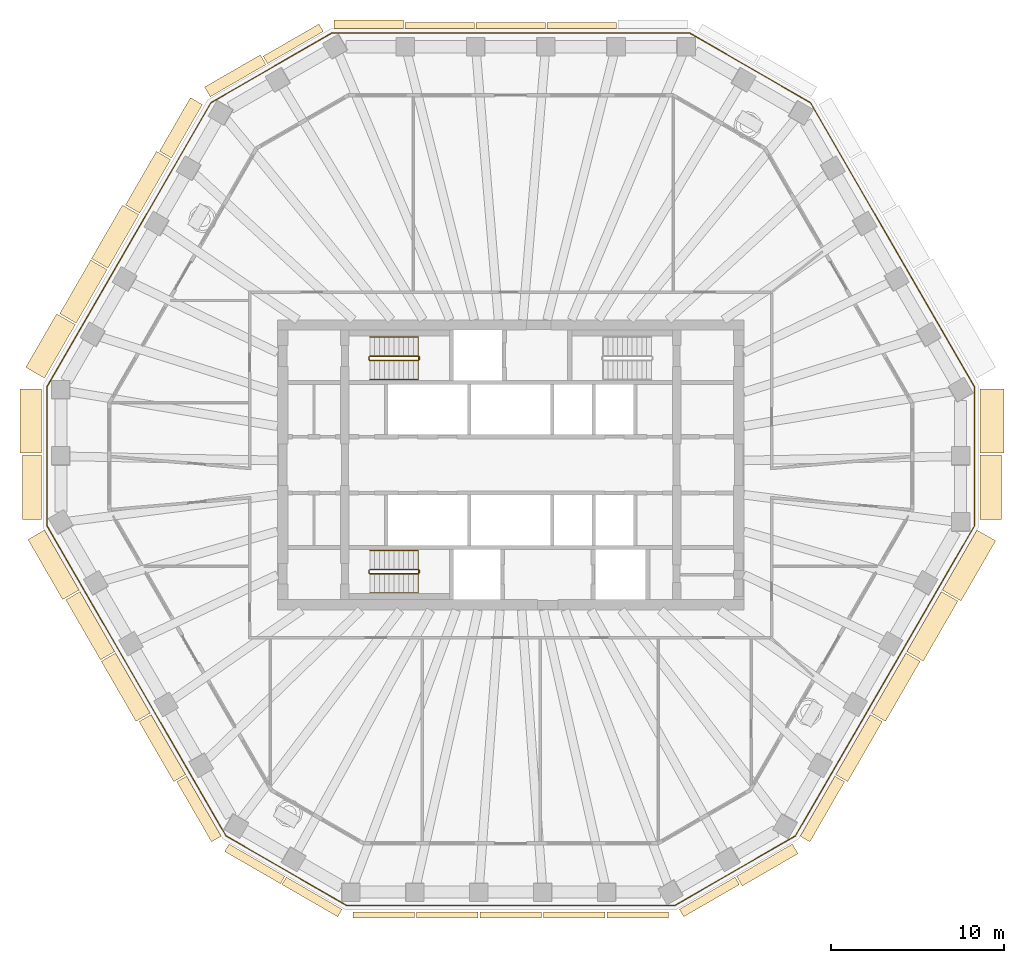
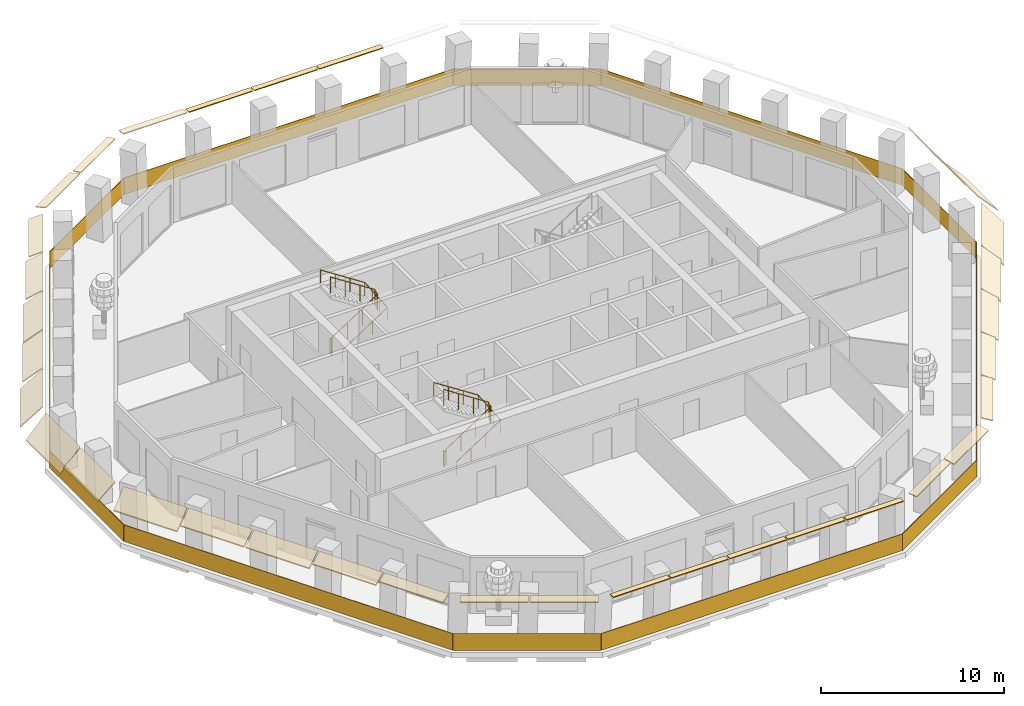
# One storey, part 9 of 12: 34 coverings, 5 railings.
"""IFC4 building model written with IfcOpenShell, lengths in metres."""

from ifc_helpers import new_model, si_unit, direction, frame, origin, origin_2d, place, context, subcontext, project, spatial, polyline, rectangle, circle, outline, extrude, material, layer, layer_set, type_object, element, save


model = new_model("IFC4")

# Units and contexts
model_context = context("Model", 3, precision=1e-05, world=origin(), true_north=direction((0.0, 1.0)))
body_context = subcontext(model_context, "Body", "Model", "MODEL_VIEW")
ifc_project = project(units=[si_unit("LENGTHUNIT", "METRE"), si_unit("AREAUNIT", "SQUARE_METRE"), si_unit("VOLUMEUNIT", "CUBIC_METRE"), si_unit("PLANEANGLEUNIT", "RADIAN"), si_unit("MASSUNIT", "GRAM", prefix="KILO")], contexts=[model_context])

# Site, building, storey
site_placement = place(None, origin())
site = spatial("IfcSite", under=ifc_project, at=site_placement, CompositionType="ELEMENT")
building_placement = place(site_placement, origin())
building = spatial("IfcBuilding", under=site, at=building_placement, Name="Frailejon Research Tower", CompositionType="ELEMENT")
storey_placement = place(building_placement, frame((0.0, 0.0, 227.39990234375)))
storey = spatial("IfcBuildingStorey", under=building, at=storey_placement, Name="L49", CompositionType="ELEMENT", Elevation=227.39990234375)

# Coverings
ifc_material_1 = material(Name="Precast concrete C50/60", Category="concrete")
ifc_layer_1 = layer(ifc_material_1, 0.06005859375)
ifc_layer_set_1 = layer_set([ifc_layer_1], Name="Brim blade depth 1100")
covering_type_1 = type_object("IfcCoveringType", Name="Brim blade depth 1100", PredefinedType="CLADDING", material=ifc_layer_set_1)
for number, where, z_axis, x_axis, name in (
    (1, (-23.305419921875, 11.390869140625, 3.85009765625), (0.500009728107, 0.866019787186, 0.0), (-0.866019787186, 0.500009728107, 0.0), "Brim blade L49"),
    (2, (-25.1435546875, 8.207275390625, 3.85009765625), (0.499989326144, 0.86603156625, 0.0), (-0.86603156625, 0.499989326144, 0.0), "Brim blade L49"),
):
    element("IfcCovering", number, at=place(storey_placement, frame(where, z_axis=z_axis, x_axis=x_axis)), inside=storey, type_object=covering_type_1, Name=name, PredefinedType="CLADDING", context=body_context, shape_type="SweptSolid", body=[
        extrude(outline(polyline([(0.0, -0.078369140625), (1.10009765625, -1.001220703125), (1.10009765625, -0.923095703125), (0.0, 0.0), (0.0, -0.078369140625)])), origin(), (0.0, 0.0, 1.0), 3.576171875),
    ])
covering_1_placement = place(storey_placement, frame((-27.147216796875, -3.148193359375, 3.85009765625), z_axis=(0.0, 1.0, 0.0), x_axis=(-1.0, 0.0, 0.0)))
element("IfcCovering", 3, at=covering_1_placement, inside=storey, type_object=covering_type_1, Name="Brim blade L49", PredefinedType="CLADDING", context=body_context, shape_type="SweptSolid", body=[
    extrude(outline(polyline([(0.0, -0.078369140625), (1.10009765625, -1.001220703125), (1.10009765625, -0.923095703125), (0.0, 0.0), (0.0, -0.078369140625)])), origin(), (0.0, 0.0, 1.0), 3.726806640625),
])
for number, where, z_axis, x_axis, name in (
    (4, (-24.975830078125, -7.240478515625, 3.85009765625), (-0.500005270805, 0.866022360662, 0.0), (-0.866022360662, -0.500005270805, 0.0), "Brim blade L49"),
    (5, (24.92578125, -7.3271484375, 3.85009765625), (-0.500005270805, -0.866022360662, 0.0), (0.866022360662, -0.500005270805, 0.0), "Brim blade L49"),
):
    element("IfcCovering", number, at=place(storey_placement, frame(where, z_axis=z_axis, x_axis=x_axis)), inside=storey, type_object=covering_type_1, Name=name, PredefinedType="CLADDING", context=body_context, shape_type="SweptSolid", body=[
        extrude(outline(polyline([(0.0, -0.078369140625), (1.10009765625, -1.001220703125), (1.10009765625, -0.923095703125), (0.0, 0.0), (0.0, -0.078369140625)])), origin(), (0.0, 0.0, 1.0), 4.01171875),
    ])
ifc_material_2 = material(Name="Precast concrete C50/60", Category="concrete")
ifc_layer_2 = layer(ifc_material_2, 0.06005859375)
ifc_layer_set_2 = layer_set([ifc_layer_2], Name="Brim blade depth 1250")
covering_type_2 = type_object("IfcCoveringType", Name="Brim blade depth 1250", PredefinedType="CLADDING", material=ifc_layer_set_2)
covering_2_placement = place(storey_placement, frame((27.147216796875, 0.57861328125, 3.85009765625), z_axis=(0.0, -1.0, 0.0), x_axis=(1.0, 0.0, 0.0)))
element("IfcCovering", 6, at=covering_2_placement, inside=storey, type_object=covering_type_2, Name="Brim blade L49", PredefinedType="CLADDING", context=body_context, shape_type="SweptSolid", body=[
    extrude(outline(polyline([(0.0, -0.0888671875), (1.25, -1.452880859375), (1.25, -1.364013671875), (0.0, 0.0), (0.0, -0.0888671875)])), origin(), (0.0, 0.0, 1.0), 3.726806640625),
])
covering_3_placement = place(storey_placement, frame((-26.981689453125, 5.0234375, 3.85009765625), z_axis=(0.499997948968, 0.866026587945, 0.0), x_axis=(-0.866026587945, 0.499997948968, 0.0)))
element("IfcCovering", 7, at=covering_3_placement, inside=storey, type_object=covering_type_2, Name="Brim blade L49", PredefinedType="CLADDING", context=body_context, shape_type="SweptSolid", body=[
    extrude(outline(polyline([(0.0, -0.0888671875), (1.25, -1.452880859375), (1.25, -1.364013671875), (0.0, 0.0), (0.0, -0.0888671875)])), origin(), (0.0, 0.0, 1.0), 3.576171875),
])
covering_4_placement = place(storey_placement, frame((-27.147216796875, 0.678466796875, 3.85009765625), z_axis=(0.0, 1.0, 0.0), x_axis=(-1.0, 0.0, 0.0)))
element("IfcCovering", 8, at=covering_4_placement, inside=storey, type_object=covering_type_2, Name="Brim blade L49", PredefinedType="CLADDING", context=body_context, shape_type="SweptSolid", body=[
    extrude(outline(polyline([(0.0, -0.0888671875), (1.25, -1.452880859375), (1.25, -1.364013671875), (0.0, 0.0), (0.0, -0.0888671875)])), origin(), (0.0, 0.0, 1.0), 3.726806640625),
])
covering_5_placement = place(storey_placement, frame((26.981689453125, -3.7666015625, 3.85009765625), z_axis=(-0.500005270805, -0.866022360662, 0.0), x_axis=(0.866022360662, -0.500005270805, 0.0)))
element("IfcCovering", 9, at=covering_5_placement, inside=storey, type_object=covering_type_2, Name="Brim blade L49", PredefinedType="CLADDING", context=body_context, shape_type="SweptSolid", body=[
    extrude(outline(polyline([(0.0, -0.0888671875), (1.25, -1.452880859375), (1.25, -1.364013671875), (0.0, 0.0), (0.0, -0.0888671875)])), origin(), (0.0, 0.0, 1.0), 4.01171875),
])
ifc_material_3 = material(Name="Precast concrete C50/60", Category="concrete")
ifc_layer_3 = layer(ifc_material_3, 0.06005859375)
ifc_layer_set_3 = layer_set([ifc_layer_3], Name="Brim blade depth 1400")
covering_type_3 = type_object("IfcCoveringType", Name="Brim blade depth 1400", PredefinedType="CLADDING", material=ifc_layer_set_3)
covering_6_placement = place(storey_placement, frame((27.147216796875, 4.4052734375, 3.85009765625), z_axis=(0.0, -1.0, 0.0), x_axis=(1.0, 0.0, 0.0)))
element("IfcCovering", 10, at=covering_6_placement, inside=storey, type_object=covering_type_3, Name="Brim blade L49", PredefinedType="CLADDING", context=body_context, shape_type="SweptSolid", body=[
    extrude(outline(polyline([(0.0, -0.1044921875), (1.39990234375, -2.10400390625), (1.39990234375, -1.99951171875), (0.0, 0.0), (0.0, -0.1044921875)])), origin(), (0.0, 0.0, 1.0), 3.726806640625),
])
ifc_material_4 = material(Name="Precast concrete C50/60", Category="concrete")
ifc_layer_4 = layer(ifc_material_4, 0.06005859375)
ifc_layer_set_4 = layer_set([ifc_layer_4], Name="Brim blade depth 350")
covering_type_4 = type_object("IfcCoveringType", Name="Brim blade depth 350", PredefinedType="CLADDING", material=ifc_layer_set_4)
for number, where, z_axis, x_axis, name in (
    (11, (2.105712890625, 25.25, 3.85009765625), (1.0, 0.0, 0.0), (0.0, 1.0, 0.0), "Brim blade L49"),
    (12, (-2.005859375, 25.25, 3.85009765625), (1.0, 0.0, 0.0), (0.0, 1.0, 0.0), "Brim blade L49"),
    (13, (-6.117431640625, 25.25, 3.85009765625), (1.0, 0.0, 0.0), (0.0, 1.0, 0.0), "Brim blade L49"),
):
    element("IfcCovering", number, at=place(storey_placement, frame(where, z_axis=z_axis, x_axis=x_axis)), inside=storey, type_object=covering_type_4, Name=name, PredefinedType="CLADDING", context=body_context, shape_type="SweptSolid", body=[
        extrude(outline(polyline([(0.0, -0.06005859375), (0.35009765625, -0.06005859375), (0.35009765625, 0.0), (0.0, 0.0), (0.0, -0.06005859375)])), origin(), (0.0, 0.0, 1.0), 4.01171875),
    ])
for number, where, z_axis, x_axis, name in (
    (14, (-5.564208984375, -25.87841796875, 3.85009765625), (-1.0, 0.0, 0.0), (0.0, -1.0, 0.0), "Brim blade L49"),
    (15, (-1.88818359375, -25.87841796875, 3.85009765625), (-1.0, 0.0, 0.0), (0.0, -1.0, 0.0), "Brim blade L49"),
    (16, (1.7880859375, -25.87841796875, 3.85009765625), (-1.0, 0.0, 0.0), (0.0, -1.0, 0.0), "Brim blade L49"),
    (17, (5.464111328125, -25.87841796875, 3.85009765625), (-1.0, 0.0, 0.0), (0.0, -1.0, 0.0), "Brim blade L49"),
    (18, (9.140380859375, -25.87841796875, 3.85009765625), (-1.0, 0.0, 0.0), (0.0, -1.0, 0.0), "Brim blade L49"),
):
    element("IfcCovering", number, at=place(storey_placement, frame(where, z_axis=z_axis, x_axis=x_axis)), inside=storey, type_object=covering_type_4, Name=name, PredefinedType="CLADDING", context=body_context, shape_type="SweptSolid", body=[
        extrude(outline(polyline([(0.0, -0.06005859375), (0.35009765625, -0.06005859375), (0.35009765625, 0.0), (0.0, 0.0), (0.0, -0.06005859375)])), origin(), (0.0, 0.0, 1.0), 3.576171875),
    ])
ifc_material_5 = material(Name="Precast concrete C50/60", Category="concrete")
ifc_layer_5 = layer(ifc_material_5, 0.06005859375)
ifc_layer_set_5 = layer_set([ifc_layer_5], Name="Brim blade depth 500")
covering_type_5 = type_object("IfcCoveringType", Name="Brim blade depth 500", PredefinedType="CLADDING", material=ifc_layer_set_5)
covering_7_placement = place(storey_placement, frame((-10.22900390625, 25.25, 3.85009765625), z_axis=(1.0, 0.0, 0.0), x_axis=(0.0, 1.0, 0.0)))
element("IfcCovering", 19, at=covering_7_placement, inside=storey, type_object=covering_type_5, Name="Brim blade L49", PredefinedType="CLADDING", context=body_context, shape_type="SweptSolid", body=[
    extrude(outline(polyline([(0.0, -0.060546875), (0.5, -0.130859375), (0.5, -0.0703125), (0.0, 0.0), (0.0, -0.060546875)])), origin(), (0.0, 0.0, 1.0), 4.011474609375),
])
for number, where, z_axis, x_axis, name in (
    (20, (-14.07470703125, 23.220947265625, 3.85009765625), (0.866025010706, 0.50000068083, 0.0), (-0.50000068083, 0.866025010706, 0.0), "Brim blade L49"),
    (21, (-13.072509765625, -23.799560546875, 3.85009765625), (-0.866025010706, 0.50000068083, 0.0), (-0.50000068083, -0.866025010706, 0.0), "Brim blade L49"),
    (22, (-9.758544921875, -25.712890625, 3.85009765625), (-0.866029793251, 0.499992397145, 0.0), (-0.499992397145, -0.866029793251, 0.0), "Brim blade L49"),
    (23, (12.986083984375, -23.849609375, 3.85009765625), (-0.866029793251, -0.499992397145, 0.0), (0.499992397145, -0.866029793251, 0.0), "Brim blade L49"),
):
    element("IfcCovering", number, at=place(storey_placement, frame(where, z_axis=z_axis, x_axis=x_axis)), inside=storey, type_object=covering_type_5, Name=name, PredefinedType="CLADDING", context=body_context, shape_type="SweptSolid", body=[
        extrude(outline(polyline([(0.0, -0.060546875), (0.5, -0.130859375), (0.5, -0.0703125), (0.0, 0.0), (0.0, -0.060546875)])), origin(), (0.0, 0.0, 1.0), 3.726806640625),
    ])
ifc_material_6 = material(Name="Precast concrete C50/60", Category="concrete")
ifc_layer_6 = layer(ifc_material_6, 0.06005859375)
ifc_layer_set_6 = layer_set([ifc_layer_6], Name="Brim blade depth 650")
covering_type_6 = type_object("IfcCoveringType", Name="Brim blade depth 650", PredefinedType="CLADDING", material=ifc_layer_set_6)
covering_8_placement = place(storey_placement, frame((-17.388671875, 21.3076171875, 3.85009765625), z_axis=(0.866029793251, 0.499992397145, 0.0), x_axis=(-0.499992397145, 0.866029793251, 0.0)))
element("IfcCovering", 24, at=covering_8_placement, inside=storey, type_object=covering_type_6, Name="Brim blade L49", PredefinedType="CLADDING", context=body_context, shape_type="SweptSolid", body=[
    extrude(outline(polyline([(0.0, -0.0625), (0.64990234375, -0.248779296875), (0.64990234375, -0.186279296875), (0.0, 0.0), (0.0, -0.0625)])), origin(), (0.0, 0.0, 1.0), 3.726806640625),
])
covering_9_placement = place(storey_placement, frame((-16.752685546875, -21.4833984375, 3.85009765625), z_axis=(-0.499987029951, 0.866032891916, 0.0), x_axis=(-0.866032891916, -0.499987029951, 0.0)))
element("IfcCovering", 25, at=covering_9_placement, inside=storey, type_object=covering_type_6, Name="Brim blade L49", PredefinedType="CLADDING", context=body_context, shape_type="SweptSolid", body=[
    extrude(outline(polyline([(0.0, -0.0625), (0.64990234375, -0.248779296875), (0.64990234375, -0.186279296875), (0.0, 0.0), (0.0, -0.0625)])), origin(), (0.0, 0.0, 1.0), 4.011474609375),
])
covering_10_placement = place(storey_placement, frame((16.300048828125, -21.93603515625, 3.85009765625), z_axis=(-0.866025010706, -0.50000068083, 0.0), x_axis=(0.50000068083, -0.866025010706, 0.0)))
element("IfcCovering", 26, at=covering_10_placement, inside=storey, type_object=covering_type_6, Name="Brim blade L49", PredefinedType="CLADDING", context=body_context, shape_type="SweptSolid", body=[
    extrude(outline(polyline([(0.0, -0.0625), (0.64990234375, -0.248779296875), (0.64990234375, -0.186279296875), (0.0, 0.0), (0.0, -0.0625)])), origin(), (0.0, 0.0, 1.0), 3.726806640625),
])
covering_11_placement = place(storey_placement, frame((18.75830078125, -18.009521484375, 3.85009765625), z_axis=(-0.499987029951, -0.866032891916, 0.0), x_axis=(0.866032891916, -0.499987029951, 0.0)))
element("IfcCovering", 27, at=covering_11_placement, inside=storey, type_object=covering_type_6, Name="Brim blade L49", PredefinedType="CLADDING", context=body_context, shape_type="SweptSolid", body=[
    extrude(outline(polyline([(0.0, -0.0625), (0.64990234375, -0.248779296875), (0.64990234375, -0.186279296875), (0.0, 0.0), (0.0, -0.0625)])), origin(), (0.0, 0.0, 1.0), 4.011474609375),
])
ifc_material_7 = material(Name="Precast concrete C50/60", Category="concrete")
ifc_layer_7 = layer(ifc_material_7, 0.06005859375)
ifc_layer_set_7 = layer_set([ifc_layer_7], Name="Brim blade depth 800")
covering_type_7 = type_object("IfcCoveringType", Name="Brim blade depth 800", PredefinedType="CLADDING", material=ifc_layer_set_7)
covering_12_placement = place(storey_placement, frame((-19.62939453125, 17.758056640625, 3.85009765625), z_axis=(0.499989326144, 0.86603156625, 0.0), x_axis=(-0.86603156625, 0.499989326144, 0.0)))
element("IfcCovering", 28, at=covering_12_placement, inside=storey, type_object=covering_type_7, Name="Brim blade L49", PredefinedType="CLADDING", context=body_context, shape_type="SweptSolid", body=[
    extrude(outline(polyline([(0.0, -0.065673828125), (0.800048828125, -0.421875), (0.800048828125, -0.356201171875), (0.0, 0.0), (0.0, -0.065673828125)])), origin(), (0.0, 0.0, 1.0), 3.576171875),
])
for number, where, z_axis, x_axis, name in (
    (29, (-18.808349609375, -17.9228515625, 3.85009765625), (-0.500005270805, 0.866022360662, 0.0), (-0.866022360662, -0.500005270805, 0.0), "Brim blade L49"),
    (30, (20.814208984375, -14.44873046875, 3.85009765625), (-0.500005270805, -0.866022360662, 0.0), (0.866022360662, -0.500005270805, 0.0), "Brim blade L49"),
):
    element("IfcCovering", number, at=place(storey_placement, frame(where, z_axis=z_axis, x_axis=x_axis)), inside=storey, type_object=covering_type_7, Name=name, PredefinedType="CLADDING", context=body_context, shape_type="SweptSolid", body=[
        extrude(outline(polyline([(0.0, -0.065673828125), (0.800048828125, -0.421875), (0.800048828125, -0.356201171875), (0.0, 0.0), (0.0, -0.065673828125)])), origin(), (0.0, 0.0, 1.0), 4.01171875),
    ])
ifc_material_8 = material(Name="Precast concrete C50/60", Category="concrete")
ifc_layer_8 = layer(ifc_material_8, 0.06005859375)
ifc_layer_set_8 = layer_set([ifc_layer_8], Name="Brim blade depth 950")
covering_type_8 = type_object("IfcCoveringType", Name="Brim blade depth 950", PredefinedType="CLADDING", material=ifc_layer_set_8)
covering_13_placement = place(storey_placement, frame((-21.46728515625, 14.574462890625, 3.85009765625), z_axis=(0.500009728107, 0.866019787186, 0.0), x_axis=(-0.866019787186, 0.500009728107, 0.0)))
element("IfcCovering", 31, at=covering_13_placement, inside=storey, type_object=covering_type_8, Name="Brim blade L49", PredefinedType="CLADDING", context=body_context, shape_type="SweptSolid", body=[
    extrude(outline(polyline([(0.0, -0.07080078125), (0.949951171875, -0.664306640625), (0.949951171875, -0.593505859375), (0.0, 0.0), (0.0, -0.07080078125)])), origin(), (0.0, 0.0, 1.0), 3.576171875),
])
for number, where, z_axis, x_axis, name in (
    (32, (-22.919921875, -10.80126953125, 3.85009765625), (-0.500005270805, 0.866022360662, 0.0), (-0.866022360662, -0.500005270805, 0.0), "Brim blade L49"),
    (33, (-20.8642578125, -14.362060546875, 3.85009765625), (-0.499994739838, 0.866028440719, 0.0), (-0.866028440719, -0.499994739838, 0.0), "Brim blade L49"),
    (34, (22.8701171875, -10.887939453125, 3.85009765625), (-0.499994739838, -0.866028440719, 0.0), (0.866028440719, -0.499994739838, 0.0), "Brim blade L49"),
):
    element("IfcCovering", number, at=place(storey_placement, frame(where, z_axis=z_axis, x_axis=x_axis)), inside=storey, type_object=covering_type_8, Name=name, PredefinedType="CLADDING", context=body_context, shape_type="SweptSolid", body=[
        extrude(outline(polyline([(0.0, -0.07080078125), (0.949951171875, -0.664306640625), (0.949951171875, -0.593505859375), (0.0, 0.0), (0.0, -0.07080078125)])), origin(), (0.0, 0.0, 1.0), 4.01171875),
    ])

# Railings
ifc_material_9 = material(Name="Laminated glass balustrade", Category="glass")
railing_type_1 = type_object("IfcRailingType", Name="Glass guard 1100", PredefinedType="GUARDRAIL", material=ifc_material_9)
railing_1_placement = place(storey_placement, frame((26.827392578125, -3.538818359375, 0.0)))
element("IfcRailing", 35, at=railing_1_placement, inside=storey, type_object=railing_type_1, Name="Loggia guard L49", PredefinedType="GUARDRAIL", context=body_context, shape_type="SweptSolid", body=[
    extrude(rectangle(XDim=8.08349609375, YDim=0.030029296875, at=origin_2d()), frame((0.0, 4.041748046875, 0.0), z_axis=(0.0, 0.0, 1.0), x_axis=(0.0, 1.0, 0.0)), (0.0, 0.0, 1.0), 1.10009765625),
    extrude(rectangle(XDim=18.955810546875, YDim=0.030029296875, at=origin_2d()), frame((-4.739013671875, 16.29150390625, 0.0), z_axis=(0.0, 0.0, 1.0), x_axis=(-0.500009349545, 0.866020005755, 0.0)), (0.0, 0.0, 1.0), 1.10009765625),
    extrude(rectangle(XDim=8.08349609375, YDim=0.030029296875, at=origin_2d()), frame((-12.978271484375, 26.5205078125, 0.0), z_axis=(0.0, 0.0, 1.0), x_axis=(-0.866011562111, 0.500023973715, 0.0)), (0.0, 0.0, 1.0), 1.10009765625),
    extrude(rectangle(XDim=20.69775390625, YDim=0.030029296875, at=origin_2d()), frame((-26.827392578125, 28.54150390625, 0.0), z_axis=(0.0, 0.0, 1.0), x_axis=(-1.0, 0.0, 0.0)), (0.0, 0.0, 1.0), 1.10009765625),
    extrude(rectangle(XDim=8.08349609375, YDim=0.030029296875, at=origin_2d()), frame((-40.676513671875, 26.5205078125, 0.0), z_axis=(0.0, 0.0, 1.0), x_axis=(-0.866011562111, -0.500023973715, 0.0)), (0.0, 0.0, 1.0), 1.10009765625),
    extrude(rectangle(XDim=18.955810546875, YDim=0.030029296875, at=origin_2d()), frame((-48.915771484375, 16.29150390625, 0.0), z_axis=(0.0, 0.0, 1.0), x_axis=(-0.500009349545, -0.866020005755, 0.0)), (0.0, 0.0, 1.0), 1.10009765625),
    extrude(rectangle(XDim=8.08349609375, YDim=0.030029296875, at=origin_2d()), frame((-53.65478515625, 4.041748046875, 0.0), z_axis=(0.0, 0.0, 1.0), x_axis=(0.0, -1.0, 0.0)), (0.0, 0.0, 1.0), 1.10009765625),
    extrude(rectangle(XDim=20.69775390625, YDim=0.030029296875, at=origin_2d()), frame((-48.48046875, -8.96240234375, 0.0), z_axis=(0.0, 0.0, 1.0), x_axis=(0.499999497831, -0.866025693712, 0.0)), (0.0, 0.0, 1.0), 1.10009765625),
    extrude(rectangle(XDim=8.083740234375, YDim=0.030029296875, at=origin_2d()), frame((-39.8056640625, -19.94580078125, 0.0), z_axis=(0.0, 0.0, 1.0), x_axis=(0.866032190624, -0.499988244665, 0.0)), (0.0, 0.0, 1.0), 1.10009765625),
    extrude(rectangle(XDim=18.95556640625, YDim=0.030029296875, at=origin_2d()), frame((-26.827392578125, -21.966552734375, 0.0), z_axis=(0.0, 0.0, 1.0), x_axis=(1.0, 0.0, 0.0)), (0.0, 0.0, 1.0), 1.10009765625),
    extrude(rectangle(XDim=8.083740234375, YDim=0.030029296875, at=origin_2d()), frame((-13.84912109375, -19.94580078125, 0.0), z_axis=(0.0, 0.0, 1.0), x_axis=(0.866032190624, 0.499988244665, 0.0)), (0.0, 0.0, 1.0), 1.10009765625),
    extrude(rectangle(XDim=20.62744140625, YDim=0.030029296875, at=origin_2d()), frame((-5.19189453125, -8.99267578125, 0.0), z_axis=(0.0, 0.0, 1.0), x_axis=(0.499997367627, 0.86602692358, 0.0)), (0.0, 0.0, 1.0), 1.10009765625),
])
ifc_material_10 = material(Name="Stainless steel", Category="steel")
railing_type_2 = type_object("IfcRailingType", Name="Stair guard 1100", PredefinedType="GUARDRAIL", material=ifc_material_10)
railing_2_placement = place(storey_placement, frame((-8.199951171875, 6.25, 0.0)))
element("IfcRailing", 36, at=railing_2_placement, inside=storey, type_object=railing_type_2, Name="L49 ST1 stair guard 1", PredefinedType="GUARDRAIL", context=body_context, shape_type="SweptSolid", body=[
    extrude(circle(Radius=0.02392578125, at=origin_2d()), frame((0.0, 0.0, 1.076171875), z_axis=(0.0, -1.0, 0.0), x_axis=(1.0, 0.0, 0.0)), (0.0, 0.0, 1.0), 0.14990234375),
    extrude(circle(Radius=0.02392578125, at=origin_2d()), frame((0.0, -0.14990234375, 1.076171875), z_axis=(0.256435381639, -0.256435381639, 0.931923704005), x_axis=(0.707106781187, 0.707106781187, 0.0)), (0.0, 0.0, 1.0), 0.195068359375),
    extrude(circle(Radius=0.02392578125, at=origin_2d()), frame((0.050048828125, -0.199951171875, 1.2578125), z_axis=(0.83868413941, 0.0, 0.544618136222), x_axis=(0.0, 1.0, 0.0)), (0.0, 0.0, 1.0), 3.33837890625),
    extrude(circle(Radius=0.02392578125, at=origin_2d()), frame((2.849853515625, -0.199951171875, 3.076171875), z_axis=(0.707106781187, 0.707106781187, 0.0), x_axis=(-0.707106781187, 0.707106781187, 0.0)), (0.0, 0.0, 1.0), 0.07080078125),
    extrude(circle(Radius=0.02392578125, at=origin_2d()), frame((2.89990234375, -0.14990234375, 3.076171875), z_axis=(0.0, 1.0, 0.0), x_axis=(-1.0, 0.0, 0.0)), (0.0, 0.0, 1.0), 0.14990234375),
    extrude(circle(Radius=0.02392578125, at=origin_2d()), frame((2.89990234375, 0.0, 3.076171875), z_axis=(-0.256435381639, 0.256435381639, 0.931923704005), x_axis=(-0.707106781187, -0.707106781187, 0.0)), (0.0, 0.0, 1.0), 0.195068359375),
    extrude(circle(Radius=0.02392578125, at=origin_2d()), frame((2.849853515625, 0.050048828125, 3.2578125), z_axis=(-0.83868413941, 0.0, 0.544618136222), x_axis=(0.0, -1.0, 0.0)), (0.0, 0.0, 1.0), 3.33837890625),
    extrude(circle(Radius=0.02099609375, at=origin_2d()), origin(), (0.0, 0.0, 1.0), 1.052001953125),
    extrude(circle(Radius=0.02099609375, at=origin_2d()), frame((0.0, -0.14990234375, 0.0)), (0.0, 0.0, 1.0), 1.052001953125),
    extrude(circle(Radius=0.02099609375, at=origin_2d()), frame((0.050048828125, -0.199951171875, 0.181884765625)), (0.0, 0.0, 1.0), 1.052001953125),
    extrude(circle(Radius=0.02099609375, at=origin_2d()), frame((0.9833984375, -0.199951171875, 0.787841796875)), (0.0, 0.0, 1.0), 1.052001953125),
    extrude(circle(Radius=0.02099609375, at=origin_2d()), frame((1.91650390625, -0.199951171875, 1.39404296875)), (0.0, 0.0, 1.0), 1.052001953125),
    extrude(circle(Radius=0.02099609375, at=origin_2d()), frame((2.849853515625, -0.199951171875, 2.0)), (0.0, 0.0, 1.0), 1.052001953125),
    extrude(circle(Radius=0.02099609375, at=origin_2d()), frame((2.89990234375, -0.14990234375, 2.0)), (0.0, 0.0, 1.0), 1.052001953125),
    extrude(circle(Radius=0.02099609375, at=origin_2d()), frame((2.89990234375, 0.0, 2.0)), (0.0, 0.0, 1.0), 1.052001953125),
    extrude(circle(Radius=0.02099609375, at=origin_2d()), frame((2.849853515625, 0.050048828125, 2.181884765625)), (0.0, 0.0, 1.0), 1.052001953125),
    extrude(circle(Radius=0.02099609375, at=origin_2d()), frame((1.91650390625, 0.050048828125, 2.787841796875)), (0.0, 0.0, 1.0), 1.052001953125),
    extrude(circle(Radius=0.02099609375, at=origin_2d()), frame((0.9833984375, 0.050048828125, 3.39404296875)), (0.0, 0.0, 1.0), 1.052001953125),
    extrude(circle(Radius=0.02099609375, at=origin_2d()), frame((0.050048828125, 0.050048828125, 4.0)), (0.0, 0.0, 1.0), 1.052001953125),
])
railing_3_placement = place(storey_placement, frame((-8.199951171875, -6.10009765625, 0.0)))
element("IfcRailing", 37, at=railing_3_placement, inside=storey, type_object=railing_type_2, Name="L49 ST2 stair guard 1", PredefinedType="GUARDRAIL", context=body_context, shape_type="SweptSolid", body=[
    extrude(circle(Radius=0.02392578125, at=origin_2d()), frame((0.0, 0.0, 1.076171875), z_axis=(0.0, -1.0, 0.0), x_axis=(1.0, 0.0, 0.0)), (0.0, 0.0, 1.0), 0.14990234375),
    extrude(circle(Radius=0.02392578125, at=origin_2d()), frame((0.0, -0.14990234375, 1.076171875), z_axis=(0.256435381639, -0.256435381639, 0.931923704005), x_axis=(0.707106781187, 0.707106781187, 0.0)), (0.0, 0.0, 1.0), 0.195068359375),
    extrude(circle(Radius=0.02392578125, at=origin_2d()), frame((0.050048828125, -0.199951171875, 1.2578125), z_axis=(0.83868413941, 0.0, 0.544618136222), x_axis=(0.0, 1.0, 0.0)), (0.0, 0.0, 1.0), 3.33837890625),
    extrude(circle(Radius=0.02392578125, at=origin_2d()), frame((2.849853515625, -0.199951171875, 3.076171875), z_axis=(0.707106781187, 0.707106781187, 0.0), x_axis=(-0.707106781187, 0.707106781187, 0.0)), (0.0, 0.0, 1.0), 0.07080078125),
    extrude(circle(Radius=0.02392578125, at=origin_2d()), frame((2.89990234375, -0.14990234375, 3.076171875), z_axis=(0.0, 1.0, 0.0), x_axis=(-1.0, 0.0, 0.0)), (0.0, 0.0, 1.0), 0.14990234375),
    extrude(circle(Radius=0.02392578125, at=origin_2d()), frame((2.89990234375, 0.0, 3.076171875), z_axis=(-0.256435381639, 0.256435381639, 0.931923704005), x_axis=(-0.707106781187, -0.707106781187, 0.0)), (0.0, 0.0, 1.0), 0.195068359375),
    extrude(circle(Radius=0.02392578125, at=origin_2d()), frame((2.849853515625, 0.050048828125, 3.2578125), z_axis=(-0.83868413941, 0.0, 0.544618136222), x_axis=(0.0, -1.0, 0.0)), (0.0, 0.0, 1.0), 3.33837890625),
    extrude(circle(Radius=0.02099609375, at=origin_2d()), origin(), (0.0, 0.0, 1.0), 1.052001953125),
    extrude(circle(Radius=0.02099609375, at=origin_2d()), frame((0.0, -0.14990234375, 0.0)), (0.0, 0.0, 1.0), 1.052001953125),
    extrude(circle(Radius=0.02099609375, at=origin_2d()), frame((0.050048828125, -0.199951171875, 0.181884765625)), (0.0, 0.0, 1.0), 1.052001953125),
    extrude(circle(Radius=0.02099609375, at=origin_2d()), frame((0.9833984375, -0.199951171875, 0.787841796875)), (0.0, 0.0, 1.0), 1.052001953125),
    extrude(circle(Radius=0.02099609375, at=origin_2d()), frame((1.91650390625, -0.199951171875, 1.39404296875)), (0.0, 0.0, 1.0), 1.052001953125),
    extrude(circle(Radius=0.02099609375, at=origin_2d()), frame((2.849853515625, -0.199951171875, 2.0)), (0.0, 0.0, 1.0), 1.052001953125),
    extrude(circle(Radius=0.02099609375, at=origin_2d()), frame((2.89990234375, -0.14990234375, 2.0)), (0.0, 0.0, 1.0), 1.052001953125),
    extrude(circle(Radius=0.02099609375, at=origin_2d()), frame((2.89990234375, 0.0, 2.0)), (0.0, 0.0, 1.0), 1.052001953125),
    extrude(circle(Radius=0.02099609375, at=origin_2d()), frame((2.849853515625, 0.050048828125, 2.181884765625)), (0.0, 0.0, 1.0), 1.052001953125),
    extrude(circle(Radius=0.02099609375, at=origin_2d()), frame((1.91650390625, 0.050048828125, 2.787841796875)), (0.0, 0.0, 1.0), 1.052001953125),
    extrude(circle(Radius=0.02099609375, at=origin_2d()), frame((0.9833984375, 0.050048828125, 3.39404296875)), (0.0, 0.0, 1.0), 1.052001953125),
    extrude(circle(Radius=0.02099609375, at=origin_2d()), frame((0.050048828125, 0.050048828125, 4.0)), (0.0, 0.0, 1.0), 1.052001953125),
])
ifc_material_11 = material(Name="Stainless steel", Category="steel")
railing_type_3 = type_object("IfcRailingType", Name="Stair handrail 900", PredefinedType="HANDRAIL", material=ifc_material_11)
railing_4_placement = place(storey_placement, frame((-8.14990234375, 4.949951171875, 0.181884765625)))
element("IfcRailing", 38, at=railing_4_placement, inside=storey, type_object=railing_type_3, Name="L49 ST1 stair handrail 1", PredefinedType="HANDRAIL", context=body_context, shape_type="SweptSolid", body=[
    extrude(circle(Radius=0.02392578125, at=origin_2d()), frame((0.0, 0.0, 0.8759765625), z_axis=(0.83868413941, 0.0, 0.544618136222), x_axis=(0.0, 1.0, 0.0)), (0.0, 0.0, 1.0), 3.33837890625),
    extrude(circle(Radius=0.02392578125, at=origin_2d()), frame((2.7998046875, 0.0, 2.69384765625), z_axis=(0.0, 0.997255538948, 0.074036410216), x_axis=(-1.0, 0.0, 0.0)), (0.0, 0.0, 1.0), 2.456787109375),
    extrude(circle(Radius=0.02392578125, at=origin_2d()), frame((2.7998046875, 2.449951171875, 2.8759765625), z_axis=(-0.83868413941, 0.0, 0.544618136222), x_axis=(0.0, -1.0, 0.0)), (0.0, 0.0, 1.0), 3.33837890625),
    extrude(circle(Radius=0.02099609375, at=origin_2d()), origin(), (0.0, 0.0, 1.0), 0.851806640625),
    extrude(circle(Radius=0.02099609375, at=origin_2d()), frame((0.933349609375, 0.0, 0.60595703125)), (0.0, 0.0, 1.0), 0.851806640625),
    extrude(circle(Radius=0.02099609375, at=origin_2d()), frame((1.866455078125, 0.0, 1.212158203125)), (0.0, 0.0, 1.0), 0.851806640625),
    extrude(circle(Radius=0.02099609375, at=origin_2d()), frame((2.7998046875, 0.0, 1.818115234375)), (0.0, 0.0, 1.0), 0.851806640625),
    extrude(circle(Radius=0.02099609375, at=origin_2d()), frame((2.7998046875, 0.816650390625, 1.878662109375)), (0.0, 0.0, 1.0), 0.851806640625),
    extrude(circle(Radius=0.02099609375, at=origin_2d()), frame((2.7998046875, 1.63330078125, 1.939453125)), (0.0, 0.0, 1.0), 0.851806640625),
    extrude(circle(Radius=0.02099609375, at=origin_2d()), frame((2.7998046875, 2.449951171875, 2.0)), (0.0, 0.0, 1.0), 0.851806640625),
    extrude(circle(Radius=0.02099609375, at=origin_2d()), frame((1.866455078125, 2.449951171875, 2.60595703125)), (0.0, 0.0, 1.0), 0.851806640625),
    extrude(circle(Radius=0.02099609375, at=origin_2d()), frame((0.933349609375, 2.449951171875, 3.212158203125)), (0.0, 0.0, 1.0), 0.851806640625),
    extrude(circle(Radius=0.02099609375, at=origin_2d()), frame((0.0, 2.449951171875, 3.818115234375)), (0.0, 0.0, 1.0), 0.851806640625),
])
railing_5_placement = place(storey_placement, frame((-8.14990234375, -7.39990234375, 0.181884765625)))
element("IfcRailing", 39, at=railing_5_placement, inside=storey, type_object=railing_type_3, Name="L49 ST2 stair handrail 1", PredefinedType="HANDRAIL", context=body_context, shape_type="SweptSolid", body=[
    extrude(circle(Radius=0.02392578125, at=origin_2d()), frame((0.0, 0.0, 0.8759765625), z_axis=(0.83868413941, 0.0, 0.544618136222), x_axis=(0.0, 1.0, 0.0)), (0.0, 0.0, 1.0), 3.33837890625),
    extrude(circle(Radius=0.02392578125, at=origin_2d()), frame((2.7998046875, 0.0, 2.69384765625), z_axis=(0.0, 0.997255538948, 0.074036410216), x_axis=(-1.0, 0.0, 0.0)), (0.0, 0.0, 1.0), 2.456787109375),
    extrude(circle(Radius=0.02392578125, at=origin_2d()), frame((2.7998046875, 2.449951171875, 2.8759765625), z_axis=(-0.83868413941, 0.0, 0.544618136222), x_axis=(0.0, -1.0, 0.0)), (0.0, 0.0, 1.0), 3.33837890625),
    extrude(circle(Radius=0.02099609375, at=origin_2d()), origin(), (0.0, 0.0, 1.0), 0.851806640625),
    extrude(circle(Radius=0.02099609375, at=origin_2d()), frame((0.933349609375, 0.0, 0.60595703125)), (0.0, 0.0, 1.0), 0.851806640625),
    extrude(circle(Radius=0.02099609375, at=origin_2d()), frame((1.866455078125, 0.0, 1.212158203125)), (0.0, 0.0, 1.0), 0.851806640625),
    extrude(circle(Radius=0.02099609375, at=origin_2d()), frame((2.7998046875, 0.0, 1.818115234375)), (0.0, 0.0, 1.0), 0.851806640625),
    extrude(circle(Radius=0.02099609375, at=origin_2d()), frame((2.7998046875, 0.816650390625, 1.878662109375)), (0.0, 0.0, 1.0), 0.851806640625),
    extrude(circle(Radius=0.02099609375, at=origin_2d()), frame((2.7998046875, 1.63330078125, 1.939453125)), (0.0, 0.0, 1.0), 0.851806640625),
    extrude(circle(Radius=0.02099609375, at=origin_2d()), frame((2.7998046875, 2.449951171875, 2.0)), (0.0, 0.0, 1.0), 0.851806640625),
    extrude(circle(Radius=0.02099609375, at=origin_2d()), frame((1.866455078125, 2.449951171875, 2.60595703125)), (0.0, 0.0, 1.0), 0.851806640625),
    extrude(circle(Radius=0.02099609375, at=origin_2d()), frame((0.933349609375, 2.449951171875, 3.212158203125)), (0.0, 0.0, 1.0), 0.851806640625),
    extrude(circle(Radius=0.02099609375, at=origin_2d()), frame((0.0, 2.449951171875, 3.818115234375)), (0.0, 0.0, 1.0), 0.851806640625),
])

save(model, "model.ifc")
